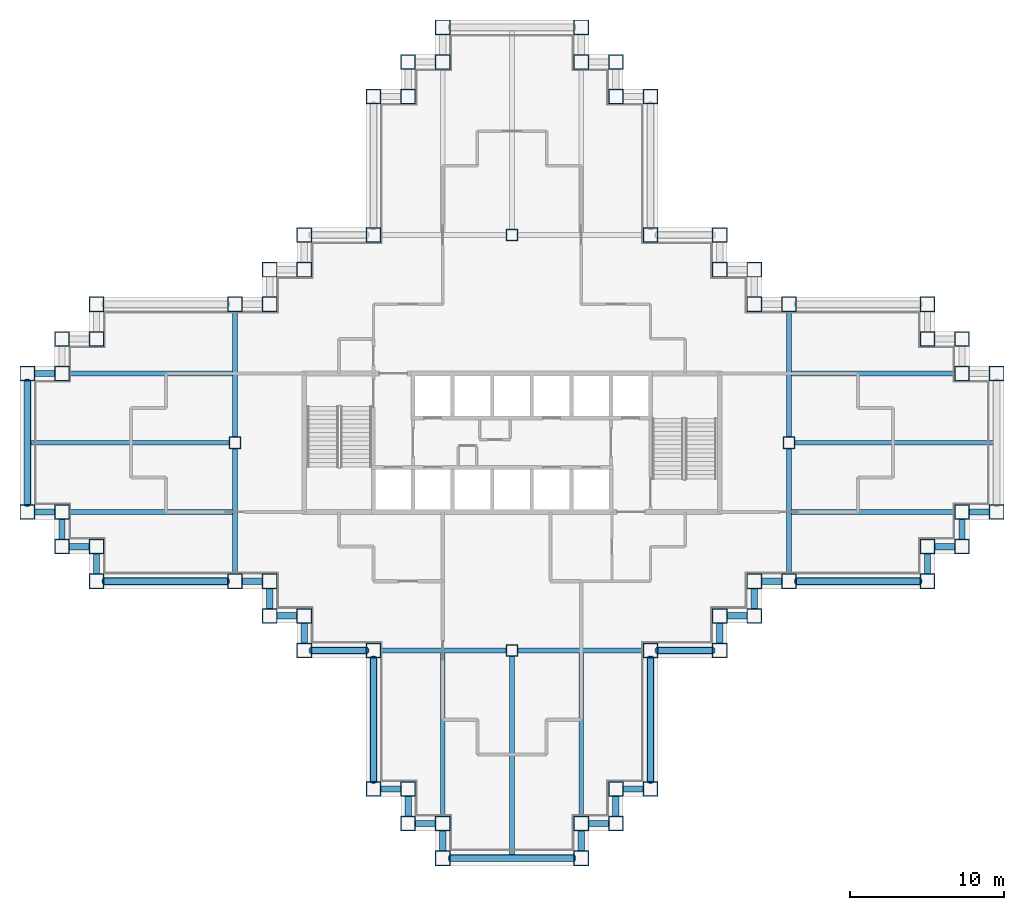
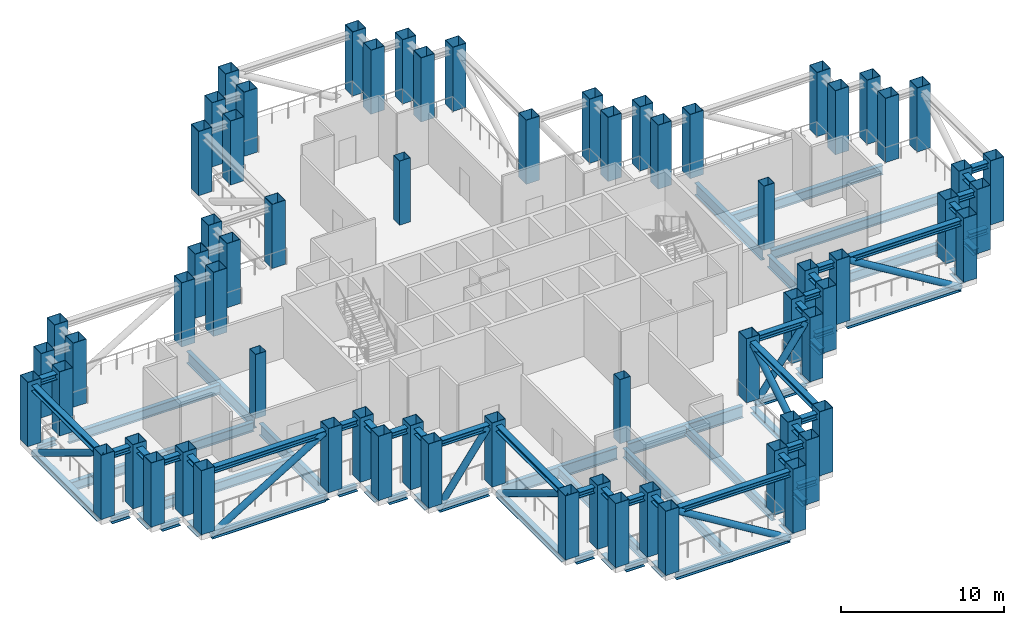
# One storey, part 1 of 10: 81 beams, 68 columns, 8 members.
"""IFC4 building model written with IfcOpenShell, lengths in metres."""

from ifc_helpers import new_model, si_unit, direction, frame, origin, origin_2d, place, context, subcontext, project, spatial, hollow_rectangle, hollow_circle, i_section, extrude, material, material_profile, profile_set, type_object, element, save


model = new_model("IFC4")

# Units and contexts
model_context = context("Model", 3, precision=1e-05, world=origin(), true_north=direction((0.0, 1.0)))
body_context = subcontext(model_context, "Body", "Model", "MODEL_VIEW")
ifc_project = project(units=[si_unit("LENGTHUNIT", "METRE"), si_unit("AREAUNIT", "SQUARE_METRE"), si_unit("VOLUMEUNIT", "CUBIC_METRE"), si_unit("PLANEANGLEUNIT", "RADIAN"), si_unit("MASSUNIT", "GRAM", prefix="KILO")], contexts=[model_context])

# Site, building, storey
site_placement = place(None, origin())
site = spatial("IfcSite", under=ifc_project, at=site_placement, CompositionType="ELEMENT")
building_placement = place(site_placement, origin())
building = spatial("IfcBuilding", under=site, at=building_placement, Name="Caravel Reach Hotel and Residences", CompositionType="ELEMENT")
storey_placement = place(building_placement, frame((0.0, 0.0, 96.0)))
storey = spatial("IfcBuildingStorey", under=building, at=storey_placement, Name="L23", CompositionType="ELEMENT", Elevation=96.0)

# Columns
ifc_material_1 = material(Name="Concrete-filled steel tube Q390B with Concrete C70 infill", Category="concrete")
ifc_material_profile_1 = material_profile(ifc_material_1, hollow_rectangle(XDim=0.75, YDim=0.75, WallThickness=0.02392578125, at=origin_2d()), Name="RHS 750x750x24")
ifc_profile_set_1 = profile_set([ifc_material_profile_1], Name="Concrete-filled steel tube Q390B with Concrete C70 infill")
column_type_1 = type_object("IfcColumnType", Name="CFT 750x750 Q390B C70", PredefinedType="COLUMN", material=ifc_profile_set_1)
for number, where, z_axis, x_axis, name in (
    (1, (31.5, 40.5, 0.0), (0.0, 0.0, 1.0), (1.0, 0.0, 0.0), "C16 column"),
    (2, (31.5, 13.5, 0.0), (0.0, 0.0, 1.0), (1.0, 0.0, 0.0), "C16 column"),
    (3, (13.5, 27.0, 0.0), (0.0, 0.0, 1.0), (1.0, 0.0, 0.0), "C16 column"),
    (4, (49.5, 27.0, 0.0), (0.0, 0.0, 1.0), (1.0, 0.0, 0.0), "C16 column"),
):
    element("IfcColumn", number, at=place(storey_placement, frame(where, z_axis=z_axis, x_axis=x_axis)), inside=storey, type_object=column_type_1, Name=name, PredefinedType="COLUMN", context=body_context, shape_type="SweptSolid", body=[
        extrude(hollow_rectangle(XDim=0.75, YDim=0.75, WallThickness=0.02392578125, at=origin_2d()), origin(), (0.0, 0.0, 1.0), 4.800048828125),
    ])
ifc_material_2 = material(Name="Concrete-filled steel tube Q390B with Concrete C70 infill", Category="concrete")
ifc_material_profile_2 = material_profile(ifc_material_2, hollow_rectangle(XDim=0.949951171875, YDim=0.949951171875, WallThickness=0.030029296875, at=origin_2d()), Name="RHS 950x950x30")
ifc_profile_set_2 = profile_set([ifc_material_profile_2], Name="Concrete-filled steel tube Q390B with Concrete C70 infill")
column_type_2 = type_object("IfcColumnType", Name="CFT 950x950 Q390B C70", PredefinedType="COLUMN", material=ifc_profile_set_2)
for number, where, z_axis, x_axis, name in (
    (5, (22.5, 4.5, 0.0), (0.0, 0.0, 1.0), (1.0, 0.0, 0.0), "C12 column"),
    (6, (24.75, 4.5, 0.0), (0.0, 0.0, 1.0), (1.0, 0.0, 0.0), "C12 column"),
    (7, (24.75, 2.25, 0.0), (0.0, 0.0, 1.0), (1.0, 0.0, 0.0), "C12 column"),
    (8, (27.0, 2.25, 0.0), (0.0, 0.0, 1.0), (1.0, 0.0, 0.0), "C12 column"),
    (9, (27.0, 0.0, 0.0), (0.0, 0.0, 1.0), (1.0, 0.0, 0.0), "C12 column"),
    (10, (36.0, 0.0, 0.0), (0.0, 0.0, 1.0), (1.0, 0.0, 0.0), "C12 column"),
    (11, (36.0, 2.25, 0.0), (0.0, 0.0, 1.0), (1.0, 0.0, 0.0), "C12 column"),
    (12, (38.25, 2.25, 0.0), (0.0, 0.0, 1.0), (1.0, 0.0, 0.0), "C12 column"),
    (13, (38.25, 4.5, 0.0), (0.0, 0.0, 1.0), (1.0, 0.0, 0.0), "C12 column"),
    (14, (40.5, 4.5, 0.0), (0.0, 0.0, 1.0), (1.0, 0.0, 0.0), "C12 column"),
    (15, (40.5, 13.5, 0.0), (0.0, 0.0, 1.0), (1.0, 0.0, 0.0), "C12 column"),
    (16, (45.0, 13.5, 0.0), (0.0, 0.0, 1.0), (1.0, 0.0, 0.0), "C12 column"),
    (17, (45.0, 15.75, 0.0), (0.0, 0.0, 1.0), (1.0, 0.0, 0.0), "C12 column"),
    (18, (47.25, 15.75, 0.0), (0.0, 0.0, 1.0), (1.0, 0.0, 0.0), "C12 column"),
    (19, (47.25, 18.0, 0.0), (0.0, 0.0, 1.0), (1.0, 0.0, 0.0), "C12 column"),
    (20, (49.5, 18.0, 0.0), (0.0, 0.0, 1.0), (1.0, 0.0, 0.0), "C12 column"),
    (21, (58.5, 18.0, 0.0), (0.0, 0.0, 1.0), (1.0, 0.0, 0.0), "C12 column"),
    (22, (58.5, 20.25, 0.0), (0.0, 0.0, 1.0), (1.0, 0.0, 0.0), "C12 column"),
    (23, (60.75, 20.25, 0.0), (0.0, 0.0, 1.0), (1.0, 0.0, 0.0), "C12 column"),
    (24, (60.75, 22.5, 0.0), (0.0, 0.0, 1.0), (1.0, 0.0, 0.0), "C12 column"),
    (25, (63.0, 22.5, 0.0), (0.0, 0.0, 1.0), (1.0, 0.0, 0.0), "C12 column"),
    (26, (63.0, 31.5, 0.0), (0.0, 0.0, 1.0), (1.0, 0.0, 0.0), "C12 column"),
    (27, (60.75, 31.5, 0.0), (0.0, 0.0, 1.0), (1.0, 0.0, 0.0), "C12 column"),
    (28, (60.75, 33.75, 0.0), (0.0, 0.0, 1.0), (1.0, 0.0, 0.0), "C12 column"),
    (29, (58.5, 33.75, 0.0), (0.0, 0.0, 1.0), (1.0, 0.0, 0.0), "C12 column"),
    (30, (58.5, 36.0, 0.0), (0.0, 0.0, 1.0), (1.0, 0.0, 0.0), "C12 column"),
    (31, (49.5, 36.0, 0.0), (0.0, 0.0, 1.0), (1.0, 0.0, 0.0), "C12 column"),
    (32, (47.25, 36.0, 0.0), (0.0, 0.0, 1.0), (1.0, 0.0, 0.0), "C12 column"),
    (33, (47.25, 38.25, 0.0), (0.0, 0.0, 1.0), (1.0, 0.0, 0.0), "C12 column"),
    (34, (45.0, 38.25, 0.0), (0.0, 0.0, 1.0), (1.0, 0.0, 0.0), "C12 column"),
    (35, (45.0, 40.5, 0.0), (0.0, 0.0, 1.0), (1.0, 0.0, 0.0), "C12 column"),
    (36, (40.5, 40.5, 0.0), (0.0, 0.0, 1.0), (1.0, 0.0, 0.0), "C12 column"),
    (37, (40.5, 49.5, 0.0), (0.0, 0.0, 1.0), (1.0, 0.0, 0.0), "C12 column"),
    (38, (38.25, 49.5, 0.0), (0.0, 0.0, 1.0), (1.0, 0.0, 0.0), "C12 column"),
    (39, (38.25, 51.75, 0.0), (0.0, 0.0, 1.0), (1.0, 0.0, 0.0), "C12 column"),
    (40, (36.0, 51.75, 0.0), (0.0, 0.0, 1.0), (1.0, 0.0, 0.0), "C12 column"),
    (41, (36.0, 54.0, 0.0), (0.0, 0.0, 1.0), (1.0, 0.0, 0.0), "C12 column"),
    (42, (27.0, 54.0, 0.0), (0.0, 0.0, 1.0), (1.0, 0.0, 0.0), "C12 column"),
    (43, (27.0, 51.75, 0.0), (0.0, 0.0, 1.0), (1.0, 0.0, 0.0), "C12 column"),
    (44, (24.75, 51.75, 0.0), (0.0, 0.0, 1.0), (1.0, 0.0, 0.0), "C12 column"),
    (45, (24.75, 49.5, 0.0), (0.0, 0.0, 1.0), (1.0, 0.0, 0.0), "C12 column"),
    (46, (22.5, 49.5, 0.0), (0.0, 0.0, 1.0), (1.0, 0.0, 0.0), "C12 column"),
    (47, (22.5, 40.5, 0.0), (0.0, 0.0, 1.0), (1.0, 0.0, 0.0), "C12 column"),
    (48, (18.0, 40.5, 0.0), (0.0, 0.0, 1.0), (1.0, 0.0, 0.0), "C12 column"),
    (49, (18.0, 38.25, 0.0), (0.0, 0.0, 1.0), (1.0, 0.0, 0.0), "C12 column"),
    (50, (15.75, 38.25, 0.0), (0.0, 0.0, 1.0), (1.0, 0.0, 0.0), "C12 column"),
    (51, (15.75, 36.0, 0.0), (0.0, 0.0, 1.0), (1.0, 0.0, 0.0), "C12 column"),
    (52, (13.5, 36.0, 0.0), (0.0, 0.0, 1.0), (1.0, 0.0, 0.0), "C12 column"),
    (53, (4.5, 36.0, 0.0), (0.0, 0.0, 1.0), (1.0, 0.0, 0.0), "C12 column"),
    (54, (4.5, 33.75, 0.0), (0.0, 0.0, 1.0), (1.0, 0.0, 0.0), "C12 column"),
    (55, (2.25, 33.75, 0.0), (0.0, 0.0, 1.0), (1.0, 0.0, 0.0), "C12 column"),
    (56, (2.25, 31.5, 0.0), (0.0, 0.0, 1.0), (1.0, 0.0, 0.0), "C12 column"),
    (57, (0.0, 31.5, 0.0), (0.0, 0.0, 1.0), (1.0, 0.0, 0.0), "C12 column"),
    (58, (0.0, 22.5, 0.0), (0.0, 0.0, 1.0), (1.0, 0.0, 0.0), "C12 column"),
    (59, (2.25, 22.5, 0.0), (0.0, 0.0, 1.0), (1.0, 0.0, 0.0), "C12 column"),
    (60, (2.25, 20.25, 0.0), (0.0, 0.0, 1.0), (1.0, 0.0, 0.0), "C12 column"),
    (61, (4.5, 20.25, 0.0), (0.0, 0.0, 1.0), (1.0, 0.0, 0.0), "C12 column"),
    (62, (4.5, 18.0, 0.0), (0.0, 0.0, 1.0), (1.0, 0.0, 0.0), "C12 column"),
    (63, (13.5, 18.0, 0.0), (0.0, 0.0, 1.0), (1.0, 0.0, 0.0), "C12 column"),
    (64, (15.75, 18.0, 0.0), (0.0, 0.0, 1.0), (1.0, 0.0, 0.0), "C12 column"),
    (65, (15.75, 15.75, 0.0), (0.0, 0.0, 1.0), (1.0, 0.0, 0.0), "C12 column"),
    (66, (18.0, 15.75, 0.0), (0.0, 0.0, 1.0), (1.0, 0.0, 0.0), "C12 column"),
    (67, (18.0, 13.5, 0.0), (0.0, 0.0, 1.0), (1.0, 0.0, 0.0), "C12 column"),
    (68, (22.5, 13.5, 0.0), (0.0, 0.0, 1.0), (1.0, 0.0, 0.0), "C12 column"),
):
    element("IfcColumn", number, at=place(storey_placement, frame(where, z_axis=z_axis, x_axis=x_axis)), inside=storey, type_object=column_type_2, Name=name, PredefinedType="COLUMN", context=body_context, shape_type="SweptSolid", body=[
        extrude(hollow_rectangle(XDim=0.949951171875, YDim=0.949951171875, WallThickness=0.030029296875, at=origin_2d()), origin(), (0.0, 0.0, 1.0), 4.800048828125),
    ])

# Beams
ifc_material_3 = material(Name="Structural steel Q355B", Category="steel")
ifc_material_profile_3 = material_profile(ifc_material_3, i_section(OverallWidth=0.300048828125, OverallDepth=0.699951171875, WebThickness=0.012939453125, FlangeThickness=0.02392578125, FilletRadius=0.01806640625, at=origin_2d()), Name="HN 700x300x13x24")
ifc_profile_set_3 = profile_set([ifc_material_profile_3], Name="Structural steel Q355B")
beam_type_1 = type_object("IfcBeamType", Name="Beam HN 700x300x13x24", PredefinedType="BEAM", material=ifc_profile_set_3)
beam_1_placement = place(storey_placement, frame((27.0, 13.39990234375, -0.75), z_axis=(0.0, -1.0, 0.0), x_axis=(1.0, 0.0, 0.0)))
element("IfcBeam", 69, at=beam_1_placement, inside=storey, type_object=beam_type_1, Name="B2 HN 700x300x13x24", PredefinedType="BEAM", context=body_context, shape_type="SweptSolid", body=[
    extrude(i_section(OverallWidth=0.300048828125, OverallDepth=0.699951171875, WebThickness=0.012939453125, FlangeThickness=0.02392578125, FilletRadius=0.01806640625, at=origin_2d()), origin(), (0.0, 0.0, 1.0), 10.724853515625),
])
beam_2_placement = place(storey_placement, frame((31.5, 13.175048828125, -0.75), z_axis=(0.0, -1.0, 0.0), x_axis=(1.0, 0.0, 0.0)))
element("IfcBeam", 70, at=beam_2_placement, inside=storey, type_object=beam_type_1, Name="B2 HN 700x300x13x24", PredefinedType="BEAM", context=body_context, shape_type="SweptSolid", body=[
    extrude(i_section(OverallWidth=0.300048828125, OverallDepth=0.699951171875, WebThickness=0.012939453125, FlangeThickness=0.02392578125, FilletRadius=0.01806640625, at=origin_2d()), origin(), (0.0, 0.0, 1.0), 13.074951171875),
])
for number, where, z_axis, x_axis, name in (
    (71, (36.0, 13.39990234375, -0.75), (0.0, -1.0, 0.0), (1.0, 0.0, 0.0), "B2 HN 700x300x13x24"),
    (72, (49.60009765625, 22.5, -0.75), (1.0, 0.0, 0.0), (0.0, 1.0, 0.0), "B2 HN 700x300x13x24"),
):
    element("IfcBeam", number, at=place(storey_placement, frame(where, z_axis=z_axis, x_axis=x_axis)), inside=storey, type_object=beam_type_1, Name=name, PredefinedType="BEAM", context=body_context, shape_type="SweptSolid", body=[
        extrude(i_section(OverallWidth=0.300048828125, OverallDepth=0.699951171875, WebThickness=0.012939453125, FlangeThickness=0.02392578125, FilletRadius=0.01806640625, at=origin_2d()), origin(), (0.0, 0.0, 1.0), 10.724853515625),
    ])
beam_3_placement = place(storey_placement, frame((49.824951171875, 27.0, -0.75), z_axis=(1.0, 0.0, 0.0), x_axis=(0.0, 1.0, 0.0)))
element("IfcBeam", 73, at=beam_3_placement, inside=storey, type_object=beam_type_1, Name="B2 HN 700x300x13x24", PredefinedType="BEAM", context=body_context, shape_type="SweptSolid", body=[
    extrude(i_section(OverallWidth=0.300048828125, OverallDepth=0.699951171875, WebThickness=0.012939453125, FlangeThickness=0.02392578125, FilletRadius=0.01806640625, at=origin_2d()), origin(), (0.0, 0.0, 1.0), 13.074951171875),
])
for number, where, z_axis, x_axis, name in (
    (74, (49.60009765625, 31.5, -0.75), (1.0, 0.0, 0.0), (0.0, 1.0, 0.0), "B2 HN 700x300x13x24"),
    (75, (13.39990234375, 22.5, -0.75), (-1.0, 0.0, 0.0), (0.0, -1.0, 0.0), "B2 HN 700x300x13x24"),
):
    element("IfcBeam", number, at=place(storey_placement, frame(where, z_axis=z_axis, x_axis=x_axis)), inside=storey, type_object=beam_type_1, Name=name, PredefinedType="BEAM", context=body_context, shape_type="SweptSolid", body=[
        extrude(i_section(OverallWidth=0.300048828125, OverallDepth=0.699951171875, WebThickness=0.012939453125, FlangeThickness=0.02392578125, FilletRadius=0.01806640625, at=origin_2d()), origin(), (0.0, 0.0, 1.0), 10.724853515625),
    ])
beam_4_placement = place(storey_placement, frame((13.175048828125, 27.0, -0.75), z_axis=(-1.0, 0.0, 0.0), x_axis=(0.0, -1.0, 0.0)))
element("IfcBeam", 76, at=beam_4_placement, inside=storey, type_object=beam_type_1, Name="B2 HN 700x300x13x24", PredefinedType="BEAM", context=body_context, shape_type="SweptSolid", body=[
    extrude(i_section(OverallWidth=0.300048828125, OverallDepth=0.699951171875, WebThickness=0.012939453125, FlangeThickness=0.02392578125, FilletRadius=0.01806640625, at=origin_2d()), origin(), (0.0, 0.0, 1.0), 13.074951171875),
])
beam_5_placement = place(storey_placement, frame((13.39990234375, 31.5, -0.75), z_axis=(-1.0, 0.0, 0.0), x_axis=(0.0, -1.0, 0.0)))
element("IfcBeam", 77, at=beam_5_placement, inside=storey, type_object=beam_type_1, Name="B2 HN 700x300x13x24", PredefinedType="BEAM", context=body_context, shape_type="SweptSolid", body=[
    extrude(i_section(OverallWidth=0.300048828125, OverallDepth=0.699951171875, WebThickness=0.012939453125, FlangeThickness=0.02392578125, FilletRadius=0.01806640625, at=origin_2d()), origin(), (0.0, 0.0, 1.0), 10.724853515625),
])
ifc_material_4 = material(Name="Structural steel Q355B", Category="steel")
ifc_material_profile_4 = material_profile(ifc_material_4, i_section(OverallWidth=0.300048828125, OverallDepth=0.89990234375, WebThickness=0.01611328125, FlangeThickness=0.028076171875, FilletRadius=0.01806640625, at=origin_2d()), Name="HN 900x300x16x28")
ifc_profile_set_4 = profile_set([ifc_material_profile_4], Name="Structural steel Q355B")
beam_type_2 = type_object("IfcBeamType", Name="Beam HN 900x300x16x28", PredefinedType="BEAM", material=ifc_profile_set_4)
for number, where, z_axis, x_axis, name in (
    (78, (22.97509765625, 13.5, -0.85009765625), (1.0, 0.0, 0.0), (0.0, 1.0, 0.0), "B3 HN 900x300x16x28"),
    (79, (31.875, 13.5, -0.85009765625), (1.0, 0.0, 0.0), (0.0, 1.0, 0.0), "B3 HN 900x300x16x28"),
    (80, (13.5, 18.47509765625, -0.85009765625), (0.0, 1.0, 0.0), (-1.0, 0.0, 0.0), "B3 HN 900x300x16x28"),
    (81, (13.5, 27.375, -0.85009765625), (0.0, 1.0, 0.0), (-1.0, 0.0, 0.0), "B3 HN 900x300x16x28"),
    (82, (49.5, 18.47509765625, -0.85009765625), (0.0, 1.0, 0.0), (-1.0, 0.0, 0.0), "B3 HN 900x300x16x28"),
    (83, (49.5, 27.375, -0.85009765625), (0.0, 1.0, 0.0), (-1.0, 0.0, 0.0), "B3 HN 900x300x16x28"),
):
    element("IfcBeam", number, at=place(storey_placement, frame(where, z_axis=z_axis, x_axis=x_axis)), inside=storey, type_object=beam_type_2, Name=name, PredefinedType="BEAM", context=body_context, shape_type="SweptSolid", body=[
        extrude(i_section(OverallWidth=0.300048828125, OverallDepth=0.89990234375, WebThickness=0.01611328125, FlangeThickness=0.028076171875, FilletRadius=0.01806640625, at=origin_2d()), origin(), (0.0, 0.0, 1.0), 8.14990234375),
    ])
ifc_material_5 = material(Name="Structural steel Q355B", Category="steel")
ifc_material_profile_5 = material_profile(ifc_material_5, i_section(OverallWidth=0.406982421875, OverallDepth=0.427978515625, WebThickness=0.02001953125, FlangeThickness=0.034912109375, FilletRadius=0.02197265625, at=origin_2d()), Name="HW 428x407x20x35")
ifc_profile_set_5 = profile_set([ifc_material_profile_5], Name="Structural steel Q355B")
beam_type_3 = type_object("IfcBeamType", Name="Beam HW 428x407x20x35", PredefinedType="BEAM", material=ifc_profile_set_5)
for number, where, z_axis, x_axis, name in (
    (84, (22.97509765625, 4.5, -0.614013671875), (1.0, 0.0, 0.0), (0.0, 1.0, 0.0), "Belt truss BT-L23 bottom chord"),
    (85, (22.97509765625, 4.5, 4.285888671875), (1.0, 0.0, 0.0), (0.0, 1.0, 0.0), "Belt truss BT-L23 top chord"),
    (86, (24.75, 4.02490234375, -0.614013671875), (0.0, -1.0, 0.0), (1.0, 0.0, 0.0), "Belt truss BT-L23 bottom chord"),
    (87, (24.75, 4.02490234375, 4.285888671875), (0.0, -1.0, 0.0), (1.0, 0.0, 0.0), "Belt truss BT-L23 top chord"),
    (88, (25.22509765625, 2.25, -0.614013671875), (1.0, 0.0, 0.0), (0.0, 1.0, 0.0), "Belt truss BT-L23 bottom chord"),
    (89, (25.22509765625, 2.25, 4.285888671875), (1.0, 0.0, 0.0), (0.0, 1.0, 0.0), "Belt truss BT-L23 top chord"),
    (90, (27.0, 1.77490234375, -0.614013671875), (0.0, -1.0, 0.0), (1.0, 0.0, 0.0), "Belt truss BT-L23 bottom chord"),
    (91, (27.0, 1.77490234375, 4.285888671875), (0.0, -1.0, 0.0), (1.0, 0.0, 0.0), "Belt truss BT-L23 top chord"),
):
    element("IfcBeam", number, at=place(storey_placement, frame(where, z_axis=z_axis, x_axis=x_axis)), inside=storey, type_object=beam_type_3, Name=name, PredefinedType="BEAM", context=body_context, shape_type="SweptSolid", body=[
        extrude(i_section(OverallWidth=0.406982421875, OverallDepth=0.427978515625, WebThickness=0.02001953125, FlangeThickness=0.034912109375, FilletRadius=0.02197265625, at=origin_2d()), origin(), (0.0, 0.0, 1.0), 1.2998046875),
    ])
for number, where, z_axis, x_axis, name in (
    (92, (27.47509765625, 0.0, -0.614013671875), (1.0, 0.0, 0.0), (0.0, 1.0, 0.0), "Belt truss BT-L23 bottom chord"),
    (93, (27.47509765625, 0.0, 4.285888671875), (1.0, 0.0, 0.0), (0.0, 1.0, 0.0), "Belt truss BT-L23 top chord"),
):
    element("IfcBeam", number, at=place(storey_placement, frame(where, z_axis=z_axis, x_axis=x_axis)), inside=storey, type_object=beam_type_3, Name=name, PredefinedType="BEAM", context=body_context, shape_type="SweptSolid", body=[
        extrude(i_section(OverallWidth=0.406982421875, OverallDepth=0.427978515625, WebThickness=0.02001953125, FlangeThickness=0.034912109375, FilletRadius=0.02197265625, at=origin_2d()), origin(), (0.0, 0.0, 1.0), 8.0498046875),
    ])
for number, where, z_axis, x_axis, name in (
    (94, (36.0, 0.47509765625, -0.614013671875), (0.0, 1.0, 0.0), (-1.0, 0.0, 0.0), "Belt truss BT-L23 bottom chord"),
    (95, (36.0, 0.47509765625, 4.285888671875), (0.0, 1.0, 0.0), (-1.0, 0.0, 0.0), "Belt truss BT-L23 top chord"),
    (96, (36.47509765625, 2.25, -0.614013671875), (1.0, 0.0, 0.0), (0.0, 1.0, 0.0), "Belt truss BT-L23 bottom chord"),
    (97, (36.47509765625, 2.25, 4.285888671875), (1.0, 0.0, 0.0), (0.0, 1.0, 0.0), "Belt truss BT-L23 top chord"),
    (98, (38.25, 2.72509765625, -0.614013671875), (0.0, 1.0, 0.0), (-1.0, 0.0, 0.0), "Belt truss BT-L23 bottom chord"),
    (99, (38.25, 2.72509765625, 4.285888671875), (0.0, 1.0, 0.0), (-1.0, 0.0, 0.0), "Belt truss BT-L23 top chord"),
    (100, (38.72509765625, 4.5, -0.614013671875), (1.0, 0.0, 0.0), (0.0, 1.0, 0.0), "Belt truss BT-L23 bottom chord"),
    (101, (38.72509765625, 4.5, 4.285888671875), (1.0, 0.0, 0.0), (0.0, 1.0, 0.0), "Belt truss BT-L23 top chord"),
):
    element("IfcBeam", number, at=place(storey_placement, frame(where, z_axis=z_axis, x_axis=x_axis)), inside=storey, type_object=beam_type_3, Name=name, PredefinedType="BEAM", context=body_context, shape_type="SweptSolid", body=[
        extrude(i_section(OverallWidth=0.406982421875, OverallDepth=0.427978515625, WebThickness=0.02001953125, FlangeThickness=0.034912109375, FilletRadius=0.02197265625, at=origin_2d()), origin(), (0.0, 0.0, 1.0), 1.2998046875),
    ])
for number, where, z_axis, x_axis, name in (
    (102, (40.5, 4.97509765625, -0.614013671875), (0.0, 1.0, 0.0), (-1.0, 0.0, 0.0), "Belt truss BT-L23 bottom chord"),
    (103, (40.5, 4.97509765625, 4.285888671875), (0.0, 1.0, 0.0), (-1.0, 0.0, 0.0), "Belt truss BT-L23 top chord"),
):
    element("IfcBeam", number, at=place(storey_placement, frame(where, z_axis=z_axis, x_axis=x_axis)), inside=storey, type_object=beam_type_3, Name=name, PredefinedType="BEAM", context=body_context, shape_type="SweptSolid", body=[
        extrude(i_section(OverallWidth=0.406982421875, OverallDepth=0.427978515625, WebThickness=0.02001953125, FlangeThickness=0.034912109375, FilletRadius=0.02197265625, at=origin_2d()), origin(), (0.0, 0.0, 1.0), 8.0498046875),
    ])
for number, where, z_axis, x_axis, name in (
    (104, (40.97509765625, 13.5, -0.614013671875), (1.0, 0.0, 0.0), (0.0, 1.0, 0.0), "Belt truss BT-L23 bottom chord"),
    (105, (40.97509765625, 13.5, 4.285888671875), (1.0, 0.0, 0.0), (0.0, 1.0, 0.0), "Belt truss BT-L23 top chord"),
):
    element("IfcBeam", number, at=place(storey_placement, frame(where, z_axis=z_axis, x_axis=x_axis)), inside=storey, type_object=beam_type_3, Name=name, PredefinedType="BEAM", context=body_context, shape_type="SweptSolid", body=[
        extrude(i_section(OverallWidth=0.406982421875, OverallDepth=0.427978515625, WebThickness=0.02001953125, FlangeThickness=0.034912109375, FilletRadius=0.02197265625, at=origin_2d()), origin(), (0.0, 0.0, 1.0), 3.5498046875),
    ])
for number, where, z_axis, x_axis, name in (
    (106, (45.0, 13.97509765625, -0.614013671875), (0.0, 1.0, 0.0), (-1.0, 0.0, 0.0), "Belt truss BT-L23 bottom chord"),
    (107, (45.0, 13.97509765625, 4.285888671875), (0.0, 1.0, 0.0), (-1.0, 0.0, 0.0), "Belt truss BT-L23 top chord"),
    (108, (45.47509765625, 15.75, -0.614013671875), (1.0, 0.0, 0.0), (0.0, 1.0, 0.0), "Belt truss BT-L23 bottom chord"),
    (109, (45.47509765625, 15.75, 4.285888671875), (1.0, 0.0, 0.0), (0.0, 1.0, 0.0), "Belt truss BT-L23 top chord"),
    (110, (47.25, 16.22509765625, -0.614013671875), (0.0, 1.0, 0.0), (-1.0, 0.0, 0.0), "Belt truss BT-L23 bottom chord"),
    (111, (47.25, 16.22509765625, 4.285888671875), (0.0, 1.0, 0.0), (-1.0, 0.0, 0.0), "Belt truss BT-L23 top chord"),
    (112, (47.72509765625, 18.0, -0.614013671875), (1.0, 0.0, 0.0), (0.0, 1.0, 0.0), "Belt truss BT-L23 bottom chord"),
    (113, (47.72509765625, 18.0, 4.285888671875), (1.0, 0.0, 0.0), (0.0, 1.0, 0.0), "Belt truss BT-L23 top chord"),
):
    element("IfcBeam", number, at=place(storey_placement, frame(where, z_axis=z_axis, x_axis=x_axis)), inside=storey, type_object=beam_type_3, Name=name, PredefinedType="BEAM", context=body_context, shape_type="SweptSolid", body=[
        extrude(i_section(OverallWidth=0.406982421875, OverallDepth=0.427978515625, WebThickness=0.02001953125, FlangeThickness=0.034912109375, FilletRadius=0.02197265625, at=origin_2d()), origin(), (0.0, 0.0, 1.0), 1.2998046875),
    ])
for number, where, z_axis, x_axis, name in (
    (114, (49.97509765625, 18.0, -0.614013671875), (1.0, 0.0, 0.0), (0.0, 1.0, 0.0), "Belt truss BT-L23 bottom chord"),
    (115, (49.97509765625, 18.0, 4.285888671875), (1.0, 0.0, 0.0), (0.0, 1.0, 0.0), "Belt truss BT-L23 top chord"),
):
    element("IfcBeam", number, at=place(storey_placement, frame(where, z_axis=z_axis, x_axis=x_axis)), inside=storey, type_object=beam_type_3, Name=name, PredefinedType="BEAM", context=body_context, shape_type="SweptSolid", body=[
        extrude(i_section(OverallWidth=0.406982421875, OverallDepth=0.427978515625, WebThickness=0.02001953125, FlangeThickness=0.034912109375, FilletRadius=0.02197265625, at=origin_2d()), origin(), (0.0, 0.0, 1.0), 8.0498046875),
    ])
for number, where, z_axis, x_axis, name in (
    (116, (58.5, 18.47509765625, -0.614013671875), (0.0, 1.0, 0.0), (-1.0, 0.0, 0.0), "Belt truss BT-L23 bottom chord"),
    (117, (58.5, 18.47509765625, 4.285888671875), (0.0, 1.0, 0.0), (-1.0, 0.0, 0.0), "Belt truss BT-L23 top chord"),
    (118, (58.97509765625, 20.25, -0.614013671875), (1.0, 0.0, 0.0), (0.0, 1.0, 0.0), "Belt truss BT-L23 bottom chord"),
    (119, (58.97509765625, 20.25, 4.285888671875), (1.0, 0.0, 0.0), (0.0, 1.0, 0.0), "Belt truss BT-L23 top chord"),
    (120, (60.75, 20.72509765625, -0.614013671875), (0.0, 1.0, 0.0), (-1.0, 0.0, 0.0), "Belt truss BT-L23 bottom chord"),
    (121, (60.75, 20.72509765625, 4.285888671875), (0.0, 1.0, 0.0), (-1.0, 0.0, 0.0), "Belt truss BT-L23 top chord"),
    (122, (61.22509765625, 22.5, -0.614013671875), (1.0, 0.0, 0.0), (0.0, 1.0, 0.0), "Belt truss BT-L23 bottom chord"),
    (123, (61.22509765625, 22.5, 4.285888671875), (1.0, 0.0, 0.0), (0.0, 1.0, 0.0), "Belt truss BT-L23 top chord"),
    (124, (1.77490234375, 31.5, -0.614013671875), (-1.0, 0.0, 0.0), (0.0, -1.0, 0.0), "Belt truss BT-L23 bottom chord"),
    (125, (1.77490234375, 31.5, 4.285888671875), (-1.0, 0.0, 0.0), (0.0, -1.0, 0.0), "Belt truss BT-L23 top chord"),
):
    element("IfcBeam", number, at=place(storey_placement, frame(where, z_axis=z_axis, x_axis=x_axis)), inside=storey, type_object=beam_type_3, Name=name, PredefinedType="BEAM", context=body_context, shape_type="SweptSolid", body=[
        extrude(i_section(OverallWidth=0.406982421875, OverallDepth=0.427978515625, WebThickness=0.02001953125, FlangeThickness=0.034912109375, FilletRadius=0.02197265625, at=origin_2d()), origin(), (0.0, 0.0, 1.0), 1.2998046875),
    ])
for number, where, z_axis, x_axis, name in (
    (126, (0.0, 31.02490234375, -0.614013671875), (0.0, -1.0, 0.0), (1.0, 0.0, 0.0), "Belt truss BT-L23 bottom chord"),
    (127, (0.0, 31.02490234375, 4.285888671875), (0.0, -1.0, 0.0), (1.0, 0.0, 0.0), "Belt truss BT-L23 top chord"),
):
    element("IfcBeam", number, at=place(storey_placement, frame(where, z_axis=z_axis, x_axis=x_axis)), inside=storey, type_object=beam_type_3, Name=name, PredefinedType="BEAM", context=body_context, shape_type="SweptSolid", body=[
        extrude(i_section(OverallWidth=0.406982421875, OverallDepth=0.427978515625, WebThickness=0.02001953125, FlangeThickness=0.034912109375, FilletRadius=0.02197265625, at=origin_2d()), origin(), (0.0, 0.0, 1.0), 8.0498046875),
    ])
for number, where, z_axis, x_axis, name in (
    (128, (0.47509765625, 22.5, -0.614013671875), (1.0, 0.0, 0.0), (0.0, 1.0, 0.0), "Belt truss BT-L23 bottom chord"),
    (129, (0.47509765625, 22.5, 4.285888671875), (1.0, 0.0, 0.0), (0.0, 1.0, 0.0), "Belt truss BT-L23 top chord"),
    (130, (2.25, 22.02490234375, -0.614013671875), (0.0, -1.0, 0.0), (1.0, 0.0, 0.0), "Belt truss BT-L23 bottom chord"),
    (131, (2.25, 22.02490234375, 4.285888671875), (0.0, -1.0, 0.0), (1.0, 0.0, 0.0), "Belt truss BT-L23 top chord"),
    (132, (2.72509765625, 20.25, -0.614013671875), (1.0, 0.0, 0.0), (0.0, 1.0, 0.0), "Belt truss BT-L23 bottom chord"),
    (133, (2.72509765625, 20.25, 4.285888671875), (1.0, 0.0, 0.0), (0.0, 1.0, 0.0), "Belt truss BT-L23 top chord"),
    (134, (4.5, 19.77490234375, -0.614013671875), (0.0, -1.0, 0.0), (1.0, 0.0, 0.0), "Belt truss BT-L23 bottom chord"),
    (135, (4.5, 19.77490234375, 4.285888671875), (0.0, -1.0, 0.0), (1.0, 0.0, 0.0), "Belt truss BT-L23 top chord"),
):
    element("IfcBeam", number, at=place(storey_placement, frame(where, z_axis=z_axis, x_axis=x_axis)), inside=storey, type_object=beam_type_3, Name=name, PredefinedType="BEAM", context=body_context, shape_type="SweptSolid", body=[
        extrude(i_section(OverallWidth=0.406982421875, OverallDepth=0.427978515625, WebThickness=0.02001953125, FlangeThickness=0.034912109375, FilletRadius=0.02197265625, at=origin_2d()), origin(), (0.0, 0.0, 1.0), 1.2998046875),
    ])
for number, where, z_axis, x_axis, name in (
    (136, (4.97509765625, 18.0, -0.614013671875), (1.0, 0.0, 0.0), (0.0, 1.0, 0.0), "Belt truss BT-L23 bottom chord"),
    (137, (4.97509765625, 18.0, 4.285888671875), (1.0, 0.0, 0.0), (0.0, 1.0, 0.0), "Belt truss BT-L23 top chord"),
):
    element("IfcBeam", number, at=place(storey_placement, frame(where, z_axis=z_axis, x_axis=x_axis)), inside=storey, type_object=beam_type_3, Name=name, PredefinedType="BEAM", context=body_context, shape_type="SweptSolid", body=[
        extrude(i_section(OverallWidth=0.406982421875, OverallDepth=0.427978515625, WebThickness=0.02001953125, FlangeThickness=0.034912109375, FilletRadius=0.02197265625, at=origin_2d()), origin(), (0.0, 0.0, 1.0), 8.0498046875),
    ])
for number, where, z_axis, x_axis, name in (
    (138, (13.97509765625, 18.0, -0.614013671875), (1.0, 0.0, 0.0), (0.0, 1.0, 0.0), "Belt truss BT-L23 bottom chord"),
    (139, (13.97509765625, 18.0, 4.285888671875), (1.0, 0.0, 0.0), (0.0, 1.0, 0.0), "Belt truss BT-L23 top chord"),
    (140, (15.75, 17.52490234375, -0.614013671875), (0.0, -1.0, 0.0), (1.0, 0.0, 0.0), "Belt truss BT-L23 bottom chord"),
    (141, (15.75, 17.52490234375, 4.285888671875), (0.0, -1.0, 0.0), (1.0, 0.0, 0.0), "Belt truss BT-L23 top chord"),
    (142, (16.22509765625, 15.75, -0.614013671875), (1.0, 0.0, 0.0), (0.0, 1.0, 0.0), "Belt truss BT-L23 bottom chord"),
    (143, (16.22509765625, 15.75, 4.285888671875), (1.0, 0.0, 0.0), (0.0, 1.0, 0.0), "Belt truss BT-L23 top chord"),
    (144, (18.0, 15.27490234375, -0.614013671875), (0.0, -1.0, 0.0), (1.0, 0.0, 0.0), "Belt truss BT-L23 bottom chord"),
    (145, (18.0, 15.27490234375, 4.285888671875), (0.0, -1.0, 0.0), (1.0, 0.0, 0.0), "Belt truss BT-L23 top chord"),
):
    element("IfcBeam", number, at=place(storey_placement, frame(where, z_axis=z_axis, x_axis=x_axis)), inside=storey, type_object=beam_type_3, Name=name, PredefinedType="BEAM", context=body_context, shape_type="SweptSolid", body=[
        extrude(i_section(OverallWidth=0.406982421875, OverallDepth=0.427978515625, WebThickness=0.02001953125, FlangeThickness=0.034912109375, FilletRadius=0.02197265625, at=origin_2d()), origin(), (0.0, 0.0, 1.0), 1.2998046875),
    ])
for number, where, z_axis, x_axis, name in (
    (146, (18.47509765625, 13.5, -0.614013671875), (1.0, 0.0, 0.0), (0.0, 1.0, 0.0), "Belt truss BT-L23 bottom chord"),
    (147, (18.47509765625, 13.5, 4.285888671875), (1.0, 0.0, 0.0), (0.0, 1.0, 0.0), "Belt truss BT-L23 top chord"),
):
    element("IfcBeam", number, at=place(storey_placement, frame(where, z_axis=z_axis, x_axis=x_axis)), inside=storey, type_object=beam_type_3, Name=name, PredefinedType="BEAM", context=body_context, shape_type="SweptSolid", body=[
        extrude(i_section(OverallWidth=0.406982421875, OverallDepth=0.427978515625, WebThickness=0.02001953125, FlangeThickness=0.034912109375, FilletRadius=0.02197265625, at=origin_2d()), origin(), (0.0, 0.0, 1.0), 3.5498046875),
    ])
for number, where, z_axis, x_axis, name in (
    (148, (22.5, 13.02490234375, -0.614013671875), (0.0, -1.0, 0.0), (1.0, 0.0, 0.0), "Belt truss BT-L23 bottom chord"),
    (149, (22.5, 13.02490234375, 4.285888671875), (0.0, -1.0, 0.0), (1.0, 0.0, 0.0), "Belt truss BT-L23 top chord"),
):
    element("IfcBeam", number, at=place(storey_placement, frame(where, z_axis=z_axis, x_axis=x_axis)), inside=storey, type_object=beam_type_3, Name=name, PredefinedType="BEAM", context=body_context, shape_type="SweptSolid", body=[
        extrude(i_section(OverallWidth=0.406982421875, OverallDepth=0.427978515625, WebThickness=0.02001953125, FlangeThickness=0.034912109375, FilletRadius=0.02197265625, at=origin_2d()), origin(), (0.0, 0.0, 1.0), 8.0498046875),
    ])

# Members
ifc_material_6 = material(Name="Structural steel Q390B", Category="steel")
ifc_material_profile_6 = material_profile(ifc_material_6, hollow_circle(Radius=0.228515625, WallThickness=0.02001953125, at=origin_2d()), Name="CHS 457x20")
ifc_profile_set_6 = profile_set([ifc_material_profile_6], Name="Structural steel Q390B")
member_type = type_object("IfcMemberType", Name="Brace CHS 457x20", PredefinedType="BRACE", material=ifc_profile_set_6)
for number, where, z_axis, x_axis, name in (
    (150, (35.52490234375, 0.0, -0.614013671875), (-0.854197555076, 0.0, 0.519948590634), (0.0, -1.0, 0.0), "Belt truss BT-L23 diagonal"),
    (151, (40.5, 4.97509765625, -0.614013671875), (0.0, 0.854197555076, 0.519948590634), (-1.0, 0.0, 0.0), "Belt truss BT-L23 diagonal"),
):
    element("IfcMember", number, at=place(storey_placement, frame(where, z_axis=z_axis, x_axis=x_axis)), inside=storey, type_object=member_type, Name=name, PredefinedType="BRACE", context=body_context, shape_type="SweptSolid", body=[
        extrude(hollow_circle(Radius=0.228515625, WallThickness=0.02001953125, at=origin_2d()), origin(), (0.0, 0.0, 1.0), 9.423828125),
    ])
member_1_placement = place(storey_placement, frame((40.97509765625, 13.5, -0.614013671875), z_axis=(0.586683220166, 0.0, 0.809816521921), x_axis=(0.0, 1.0, 0.0)))
element("IfcMember", 152, at=member_1_placement, inside=storey, type_object=member_type, Name="Belt truss BT-L23 diagonal", PredefinedType="BRACE", context=body_context, shape_type="SweptSolid", body=[
    extrude(hollow_circle(Radius=0.228515625, WallThickness=0.02001953125, at=origin_2d()), origin(), (0.0, 0.0, 1.0), 6.050537109375),
])
for number, where, z_axis, x_axis, name in (
    (153, (58.02490234375, 18.0, -0.614013671875), (-0.854197555076, 0.0, 0.519948590634), (0.0, -1.0, 0.0), "Belt truss BT-L23 diagonal"),
    (154, (0.0, 31.02490234375, -0.614013671875), (0.0, -0.854197555076, 0.519948590634), (1.0, 0.0, 0.0), "Belt truss BT-L23 diagonal"),
    (155, (4.97509765625, 18.0, -0.614013671875), (0.854197555076, 0.0, 0.519948590634), (0.0, 1.0, 0.0), "Belt truss BT-L23 diagonal"),
):
    element("IfcMember", number, at=place(storey_placement, frame(where, z_axis=z_axis, x_axis=x_axis)), inside=storey, type_object=member_type, Name=name, PredefinedType="BRACE", context=body_context, shape_type="SweptSolid", body=[
        extrude(hollow_circle(Radius=0.228515625, WallThickness=0.02001953125, at=origin_2d()), origin(), (0.0, 0.0, 1.0), 9.423828125),
    ])
member_2_placement = place(storey_placement, frame((18.47509765625, 13.5, -0.614013671875), z_axis=(0.586683220166, 0.0, 0.809816521921), x_axis=(0.0, 1.0, 0.0)))
element("IfcMember", 156, at=member_2_placement, inside=storey, type_object=member_type, Name="Belt truss BT-L23 diagonal", PredefinedType="BRACE", context=body_context, shape_type="SweptSolid", body=[
    extrude(hollow_circle(Radius=0.228515625, WallThickness=0.02001953125, at=origin_2d()), origin(), (0.0, 0.0, 1.0), 6.050537109375),
])
member_3_placement = place(storey_placement, frame((22.5, 13.02490234375, -0.614013671875), z_axis=(0.0, -0.854197555076, 0.519948590634), x_axis=(1.0, 0.0, 0.0)))
element("IfcMember", 157, at=member_3_placement, inside=storey, type_object=member_type, Name="Belt truss BT-L23 diagonal", PredefinedType="BRACE", context=body_context, shape_type="SweptSolid", body=[
    extrude(hollow_circle(Radius=0.228515625, WallThickness=0.02001953125, at=origin_2d()), origin(), (0.0, 0.0, 1.0), 9.423828125),
])

save(model, "model.ifc")
